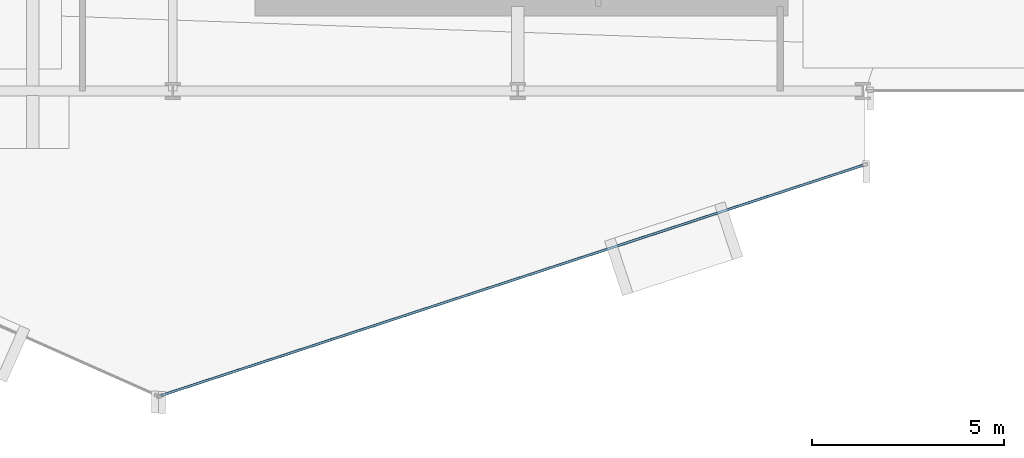
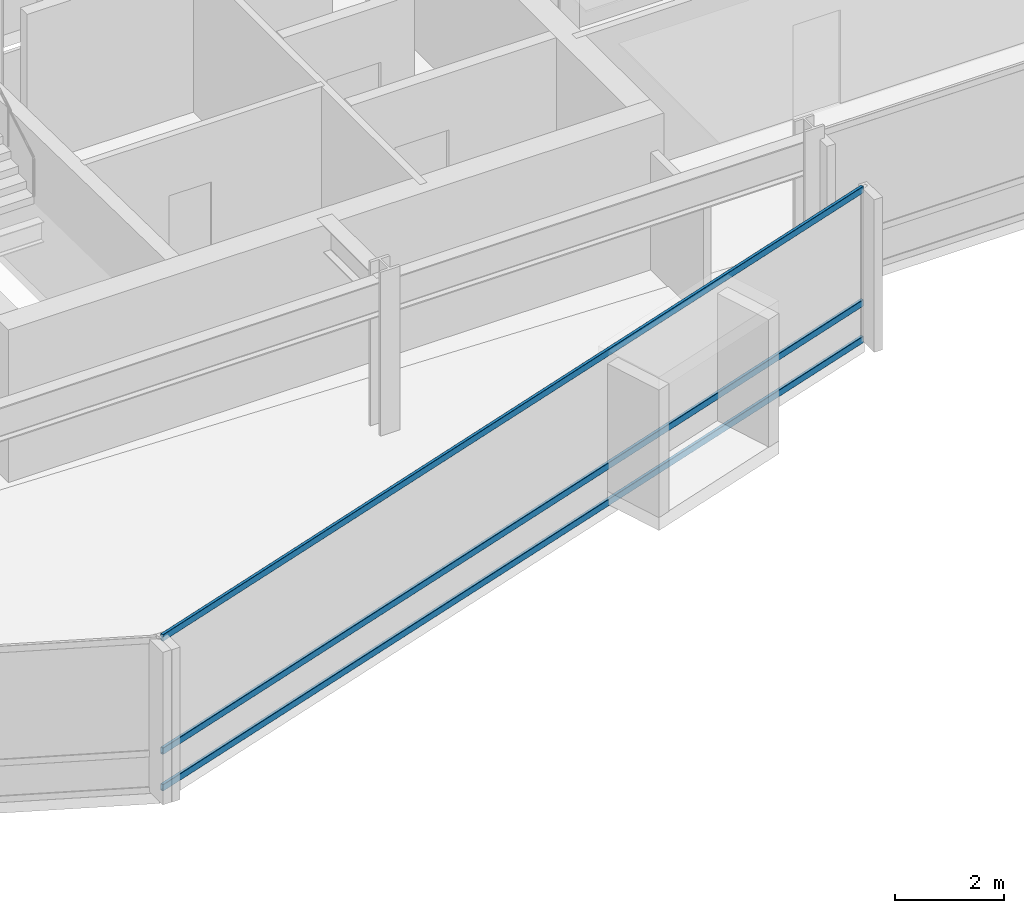
# One storey, part 9 of 29: 3 members, 1 element without a shape of its own.
"""IFC4 building model written with IfcOpenShell, lengths in metres."""

import ifcopenshell
import ifcopenshell.guid

model = None  # the IFC model being written
_history = None  # IfcOwnerHistory: only IFC2X3 demands one
_inside = {}  # id of a spatial element -> (the spatial element, [elements in it])
_under = {}  # id of a project, library or spatial element -> (it, [spatial elements below it])
_declared = {}  # id of a project -> (the project, [libraries it declares])
_typed = {}  # id of a type object -> (the type object, [elements of that type])
_made_of = {}  # id of a material, layer set ... -> (it, [elements and type objects made of it])


def new_model(schema):
    """Start an empty IFC model of exactly this schema.

    Asked for "IFC4X3", IfcOpenShell would pick the latest addendum, in which some entities
    have other attributes; the version numbers below select the first issue.
    IFC2X3 requires an IfcOwnerHistory on every rooted entity: one is made here for all.
    """
    global model, _history
    if schema == "IFC4X3":
        model = ifcopenshell.file(schema_version=(4, 3, 0, 0))
    else:
        model = ifcopenshell.file(schema=schema)
    _inside.clear()
    _under.clear()
    _declared.clear()
    _typed.clear()
    _made_of.clear()
    _history = None
    if model.schema == "IFC2X3":
        org = make("IfcOrganization", Name="unknown")
        user = make(
            "IfcPersonAndOrganization",
            ThePerson=make("IfcPerson", FamilyName="unknown"),
            TheOrganization=org,
        )
        app = make(
            "IfcApplication",
            ApplicationDeveloper=org,
            Version="unknown",
            ApplicationFullName="unknown",
            ApplicationIdentifier="unknown",
        )
        _history = make(
            "IfcOwnerHistory",
            OwningUser=user,
            OwningApplication=app,
            ChangeAction="ADDED",
            CreationDate=0,
        )
    return model


def make(cls, **values):
    """One entity of the class cls with the attributes given. An attribute that is None is left unset."""
    return model.create_entity(
        cls, **{name: value for name, value in values.items() if value is not None}
    )


def rooted(cls, **values):
    """An entity with a GlobalId (a new one), such as an element, a storey or a relation."""
    return make(cls, GlobalId=ifcopenshell.guid.new(), OwnerHistory=_history, **values)


def si_unit(unit_type, name, prefix=None):
    """IfcSIUnit, for example si_unit("LENGTHUNIT", "METRE", prefix="MILLI")."""
    return make("IfcSIUnit", UnitType=unit_type, Prefix=prefix, Name=name)


def assignment(units):
    """IfcUnitAssignment: the units of a project."""
    return None if units is None else make("IfcUnitAssignment", Units=units)


def point(xyz):
    """IfcCartesianPoint."""
    return None if xyz is None else make("IfcCartesianPoint", Coordinates=xyz)


def direction(xyz):
    """IfcDirection."""
    return None if xyz is None else make("IfcDirection", DirectionRatios=xyz)


def frame(location, z_axis=None, x_axis=None):
    """IfcAxis2Placement3D, a coordinate frame: its origin and axes. An axis left out is left unset."""
    return make(
        "IfcAxis2Placement3D",
        Location=point(location),
        Axis=direction(z_axis),
        RefDirection=direction(x_axis),
    )


def frame_2d(location, x_axis=None):
    """IfcAxis2Placement2D, a coordinate frame in the plane: its origin and x axis."""
    return make(
        "IfcAxis2Placement2D", Location=point(location), RefDirection=direction(x_axis)
    )


def origin():
    """The frame at (0, 0, 0) with its axes left unset."""
    return frame((0.0, 0.0, 0.0))


def origin_2d():
    """The frame at (0, 0) in the plane with its x axis left unset."""
    return frame_2d((0.0, 0.0))


def place(relative_to, where):
    """IfcLocalPlacement: puts the frame where relative to a parent placement (None: the world)."""
    return make(
        "IfcLocalPlacement", PlacementRelTo=relative_to, RelativePlacement=where
    )


def context(
    kind, dimensions, precision=None, world=None, true_north=None, identifier=None
):
    """IfcGeometricRepresentationContext, for example the 3D "Model" context."""
    return make(
        "IfcGeometricRepresentationContext",
        ContextIdentifier=identifier,
        ContextType=kind,
        CoordinateSpaceDimension=dimensions,
        Precision=precision,
        WorldCoordinateSystem=world,
        TrueNorth=true_north,
    )


def subcontext(parent, identifier, kind, view, scale=None):
    """IfcGeometricRepresentationSubContext, for example "Body" below "Model"."""
    return make(
        "IfcGeometricRepresentationSubContext",
        ContextIdentifier=identifier,
        ContextType=kind,
        ParentContext=parent,
        TargetScale=scale,
        TargetView=view,
    )


def project(units=None, contexts=None):
    """IfcProject with its units and contexts."""
    return rooted(
        "IfcProject",
        Name="project",
        RepresentationContexts=contexts,
        UnitsInContext=assignment(units),
    )


def spatial(cls, under=None, at=None, **own):
    """A site, building, storey or space (cls), placed at a placement, below another one or the project."""
    s = rooted(cls, ObjectPlacement=at, **own)
    if under is not None:
        _under.setdefault(under.id(), (under, []))[1].append(s)
    return s


def profile(cls, at=None, kind="AREA", **sizes):
    """A parametric profile (cls). Its sizes go by their IFC names, for example OverallWidth=200.0."""
    return make(cls, ProfileType=kind, Position=at, **sizes)


def hollow_rectangle(**sizes):
    """IfcRectangleHollowProfileDef."""
    return profile("IfcRectangleHollowProfileDef", **sizes)


def extrude(swept, where, along, depth):
    """IfcExtrudedAreaSolid: the profile swept, set in the frame where, extruded along a direction by depth."""
    return make(
        "IfcExtrudedAreaSolid",
        SweptArea=swept,
        Position=where,
        ExtrudedDirection=direction(along),
        Depth=depth,
    )


def shape(context_of_items, identifier, shape_type, items):
    """IfcShapeRepresentation: the items that make up one representation, for example the "Body"."""
    return make(
        "IfcShapeRepresentation",
        ContextOfItems=context_of_items,
        RepresentationIdentifier=identifier,
        RepresentationType=shape_type,
        Items=items,
    )


def material(Name=None, Category=None):
    """IfcMaterial."""
    return make("IfcMaterial", Name=Name, Category=Category)


def layer(
    of_material, thickness, ventilated=None, Name=None, Category=None, Priority=None
):
    """IfcMaterialLayer: one layer of a wall or slab, of a material (None: an air gap)."""
    return make(
        "IfcMaterialLayer",
        Material=of_material,
        LayerThickness=thickness,
        IsVentilated=ventilated,
        Name=Name,
        Category=Category,
        Priority=Priority,
    )


def layer_set(layers, Name=None):
    """IfcMaterialLayerSet."""
    return make("IfcMaterialLayerSet", MaterialLayers=layers, LayerSetName=Name)


def material_profile(
    of_material, cross_section, Name=None, Category=None, Priority=None
):
    """IfcMaterialProfile: a cross section and its material."""
    return make(
        "IfcMaterialProfile",
        Name=Name,
        Material=of_material,
        Profile=cross_section,
        Priority=Priority,
        Category=Category,
    )


def profile_set(profiles, Name=None, composite=None):
    """IfcMaterialProfileSet."""
    return make(
        "IfcMaterialProfileSet",
        Name=Name,
        MaterialProfiles=profiles,
        CompositeProfile=composite,
    )


def made_of(thing, what):
    """Note that an element or type object is made of a material, layer set ...; save() writes the relation."""
    if what is not None:
        _made_of.setdefault(what.id(), (what, []))[1].append(thing)
    return thing


def type_object(cls, material=None, **own):
    """A type object (cls), such as IfcWallType, which elements share."""
    return made_of(rooted(cls, **own), material)


def element(
    cls,
    number,
    at=None,
    inside=None,
    cuts=None,
    type_object=None,
    material=None,
    context=None,
    identifier="Body",
    shape_type=None,
    held_by="IfcProductDefinitionShape",
    body=None,
    shapes=None,
    **own,
):
    """One element of the class cls, such as IfcWall. Its Tag is "e" and its number.

    at: its placement. inside: the storey or other place that contains it. cuts: it is an
    opening in that element (IfcRelVoidsElement). A single representation is given by context,
    identifier, shape_type and body (its items); several are given by shapes. held_by: the class
    of the entity that holds the representations. save() writes the other relations.
    """
    e = rooted(cls, Tag="e%d" % number, ObjectPlacement=at, **own)
    if body is not None:
        shapes = [shape(context, identifier, shape_type, body)]
    if shapes is not None:
        e.Representation = make(held_by, Representations=shapes)
    if inside is not None:
        _inside.setdefault(inside.id(), (inside, []))[1].append(e)
    if cuts is not None:
        rooted(
            "IfcRelVoidsElement", RelatingBuildingElement=cuts, RelatedOpeningElement=e
        )
    if type_object is not None:
        _typed.setdefault(type_object.id(), (type_object, []))[1].append(e)
    return made_of(e, material)


def aggregate(whole, parts):
    """IfcRelAggregates: a whole, such as a stair, and the parts it consists of."""
    return rooted("IfcRelAggregates", RelatingObject=whole, RelatedObjects=parts)


def save(model, path):
    """Write the relations noted so far, then the file.

    IfcRelAggregates (storeys below a building ...), IfcRelContainedInSpatialStructure (elements
    in a storey), IfcRelDefinesByType, IfcRelAssociatesMaterial and IfcRelDeclares: one each for
    every whole, place, type object, material and project.
    """
    for whole, parts in _under.values():
        aggregate(whole, parts)
    for where, things in _inside.values():
        rooted(
            "IfcRelContainedInSpatialStructure",
            RelatedElements=things,
            RelatingStructure=where,
        )
    for kind, things in _typed.values():
        rooted("IfcRelDefinesByType", RelatedObjects=things, RelatingType=kind)
    for what, things in _made_of.values():
        rooted("IfcRelAssociatesMaterial", RelatedObjects=things, RelatingMaterial=what)
    for by, libraries in _declared.values():
        rooted("IfcRelDeclares", RelatingContext=by, RelatedDefinitions=libraries)
    model.write(path)


model = new_model("IFC4")

# Units and contexts
model_context = context("Model", 3, precision=1e-05, world=origin(), true_north=direction((0.0, 1.0)))
body_context = subcontext(model_context, "Body", "Model", "MODEL_VIEW")
ifc_project = project(units=[si_unit("LENGTHUNIT", "METRE"), si_unit("AREAUNIT", "SQUARE_METRE"), si_unit("VOLUMEUNIT", "CUBIC_METRE"), si_unit("PLANEANGLEUNIT", "RADIAN"), si_unit("MASSUNIT", "GRAM", prefix="KILO")], contexts=[model_context])

# Site, building, storey
site_placement = place(None, origin())
site = spatial("IfcSite", under=ifc_project, at=site_placement, CompositionType="ELEMENT")
building_placement = place(site_placement, origin())
building = spatial("IfcBuilding", under=site, at=building_placement, Name="Solvaryn Broadcast Tower", CompositionType="ELEMENT")
storey_placement = place(building_placement, frame((0.0, 0.0, 139.60009765625)))
storey = spatial("IfcBuildingStorey", under=building, at=storey_placement, Name="L34", CompositionType="ELEMENT", Elevation=139.60009765625)

# Curtain wall, members
ifc_material_1 = material(Name="Aluminium and Terracotta Unitised Curtain Wall", Category="masonry")
ifc_layer = layer(ifc_material_1, 0.199951171875)
ifc_layer_set = layer_set([ifc_layer], Name="CW-SYS2-LOWMID")
curtain_wall_type = type_object("IfcCurtainWallType", Name="CW-SYS2-LOWMID", PredefinedType="NOTDEFINED", material=ifc_layer_set)
curtain_wall_placement = place(storey_placement, origin())
curtain_wall = element("IfcCurtainWall", 1, at=curtain_wall_placement, inside=storey, type_object=curtain_wall_type, Name="L34 Curtain Wall DR4", PredefinedType="NOTDEFINED")
ifc_material_2 = material(Name="Anodised Aluminium 6063-T6", Category="aluminium")
ifc_material_profile = material_profile(ifc_material_2, hollow_rectangle(XDim=0.06494140625, YDim=0.14990234375, WallThickness=0.00390625, InnerFilletRadius=0.00390625, OuterFilletRadius=0.008056640625, at=origin_2d()))
ifc_profile_set = profile_set([ifc_material_profile], Name="Anodised Aluminium 6063-T6")
member_type = type_object("IfcMemberType", Name="CW-TRN-150", PredefinedType="USERDEFINED", material=ifc_profile_set)
member_1_placement = place(storey_placement, frame((26.693115234375, 1.052734375, 0.02978515625), z_axis=(0.950198373323, 0.31164571445, 0.0), x_axis=(-0.31164571445, 0.950198373323, 0.0)))
member_1 = element("IfcMember", 2, at=member_1_placement, type_object=member_type, Name="CWS2 transom 1.1", ObjectType="TRANSOM", PredefinedType="USERDEFINED", context=body_context, shape_type="SweptSolid", body=[
    extrude(hollow_rectangle(XDim=0.06494140625, YDim=0.14990234375, WallThickness=0.00390625, InnerFilletRadius=0.00390625, OuterFilletRadius=0.008056640625, at=origin_2d()), origin(), (0.0, 0.0, 1.0), 19.27685546875),
])
member_2_placement = place(storey_placement, frame((26.693115234375, 1.052734375, 0.849853515625), z_axis=(0.950198373323, 0.31164571445, 0.0), x_axis=(-0.31164571445, 0.950198373323, 0.0)))
member_2 = element("IfcMember", 3, at=member_2_placement, type_object=member_type, Name="CWS2 transom 1.2", ObjectType="TRANSOM", PredefinedType="USERDEFINED", context=body_context, shape_type="SweptSolid", body=[
    extrude(hollow_rectangle(XDim=0.06494140625, YDim=0.14990234375, WallThickness=0.00390625, InnerFilletRadius=0.00390625, OuterFilletRadius=0.008056640625, at=origin_2d()), origin(), (0.0, 0.0, 1.0), 19.27685546875),
])
member_3_placement = place(storey_placement, frame((26.693115234375, 1.052734375, 3.389892578125), z_axis=(0.950198373323, 0.31164571445, 0.0), x_axis=(-0.31164571445, 0.950198373323, 0.0)))
member_3 = element("IfcMember", 4, at=member_3_placement, type_object=member_type, Name="CWS2 transom 1.3", ObjectType="TRANSOM", PredefinedType="USERDEFINED", context=body_context, shape_type="SweptSolid", body=[
    extrude(hollow_rectangle(XDim=0.06494140625, YDim=0.14990234375, WallThickness=0.00390625, InnerFilletRadius=0.00390625, OuterFilletRadius=0.008056640625, at=origin_2d()), origin(), (0.0, 0.0, 1.0), 19.27685546875),
])
aggregate(curtain_wall, [member_1, member_2, member_3])

save(model, "model.ifc")
